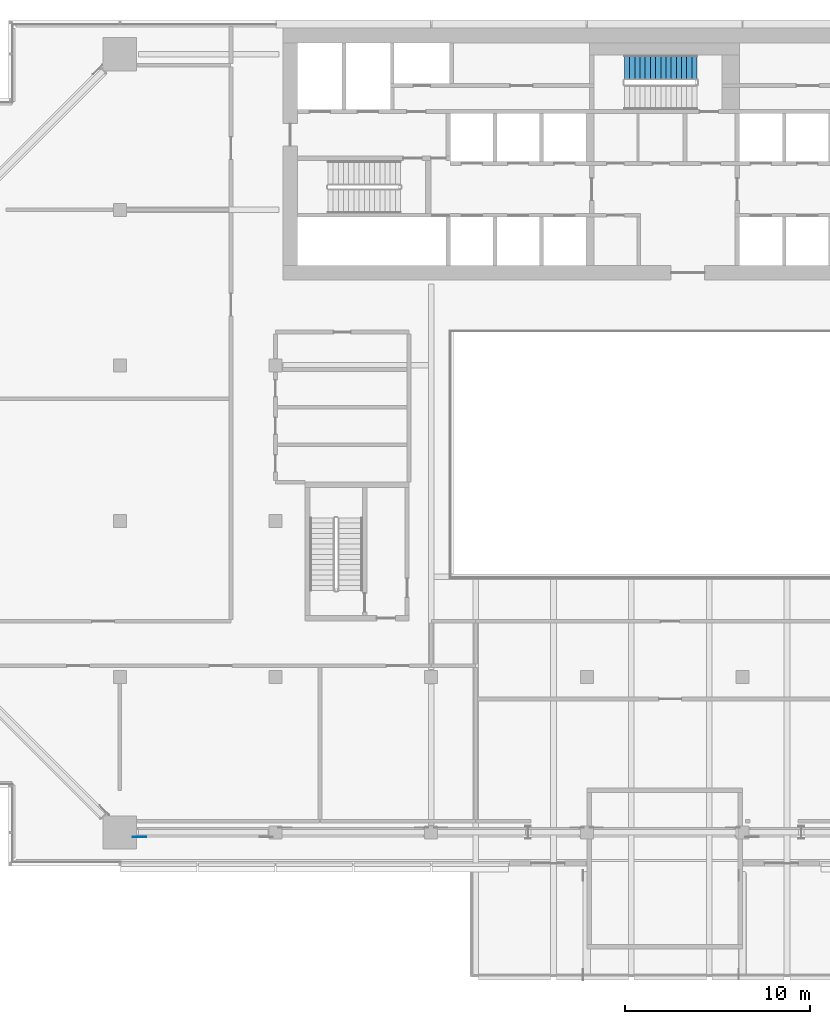
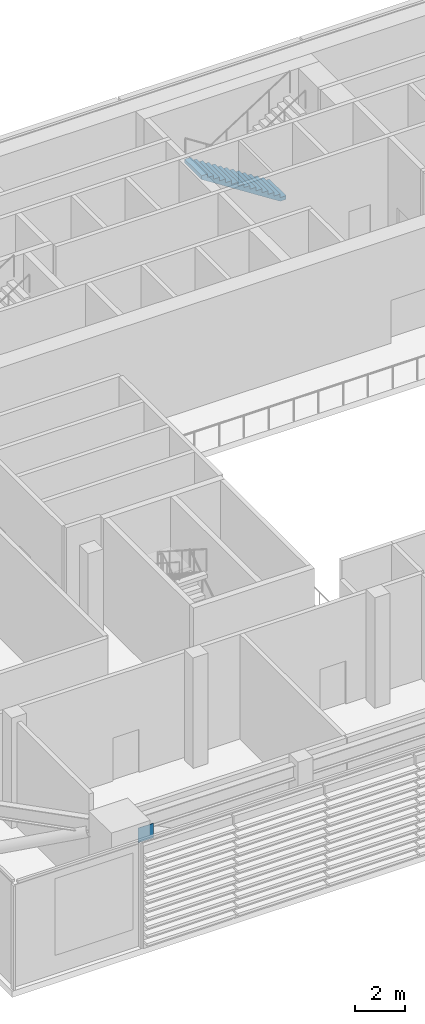
# One storey, part 18 of 29: 1 discrete accessory, 1 stair flight, 1 element without a shape of its own.
"""IFC4 building model written with IfcOpenShell, lengths in metres."""

from ifc_helpers import new_model, si_unit, direction, frame, origin, origin_2d, place, context, subcontext, project, spatial, polyline, rectangle, outline, extrude, material, type_object, element, aggregate, save


model = new_model("IFC4")

# Units and contexts
model_context = context("Model", 3, precision=1e-05, world=origin(), true_north=direction((0.0, 1.0)))
body_context = subcontext(model_context, "Body", "Model", "MODEL_VIEW")
ifc_project = project(units=[si_unit("LENGTHUNIT", "METRE"), si_unit("AREAUNIT", "SQUARE_METRE"), si_unit("VOLUMEUNIT", "CUBIC_METRE"), si_unit("PLANEANGLEUNIT", "RADIAN"), si_unit("MASSUNIT", "GRAM", prefix="KILO")], contexts=[model_context])

# Site, building, storey
site_placement = place(None, origin())
site = spatial("IfcSite", under=ifc_project, at=site_placement, CompositionType="ELEMENT")
building_placement = place(site_placement, origin())
building = spatial("IfcBuilding", under=site, at=building_placement, Name="Saffron Gate Tower", CompositionType="ELEMENT")
storey_placement = place(building_placement, frame((0.0, 0.0, 142.050048828125)))
storey = spatial("IfcBuildingStorey", under=building, at=storey_placement, Name="L34", CompositionType="ELEMENT", Elevation=142.050048828125)

# Stair, stair flight
ifc_material = material(Name="Concrete C40", Category="concrete")
stair_type = type_object("IfcStairType", Name="ST4 Stair 1350 wide, 30 risers of 180", PredefinedType="HALF_TURN_STAIR", material=ifc_material)
stair_placement = place(storey_placement, origin())
stair = element("IfcStair", 1, at=stair_placement, inside=storey, type_object=stair_type, Name="L34 Exit stair C", PredefinedType="HALF_TURN_STAIR")
stair_flight_type = type_object("IfcStairFlightType", Name="SF3 Stair flight 1350 wide, riser 180 going 280", PredefinedType="STRAIGHT", material=ifc_material)
stair_flight_placement = place(storey_placement, frame((89.35009765625, 73.074951171875, 0.0), z_axis=(0.0, 0.0, 1.0), x_axis=(-1.0, 0.0, 0.0)))
stair_flight = element("IfcStairFlight", 2, at=stair_flight_placement, type_object=stair_flight_type, Name="ST-C flight 1", NumberOfRisers=15, NumberOfTreads=14, PredefinedType="STRAIGHT", RiserHeight=0.18, TreadLength=0.28, context=body_context, shape_type="SweptSolid", body=[
    extrude(outline(polyline([(0.0, 0.0), (0.0, 0.179931640625), (0.280029296875, 0.179931640625), (0.280029296875, 0.360107421875), (0.56005859375, 0.360107421875), (0.56005859375, 0.5400390625), (0.840087890625, 0.5400390625), (0.840087890625, 0.719970703125), (1.1201171875, 0.719970703125), (1.1201171875, 0.89990234375), (1.39990234375, 0.89990234375), (1.39990234375, 1.080078125), (1.679931640625, 1.080078125), (1.679931640625, 1.260009765625), (1.9599609375, 1.260009765625), (1.9599609375, 1.43994140625), (2.239990234375, 1.43994140625), (2.239990234375, 1.6201171875), (2.52001953125, 1.6201171875), (2.52001953125, 1.800048828125), (2.800048828125, 1.800048828125), (2.800048828125, 1.97998046875), (3.080078125, 1.97998046875), (3.080078125, 2.159912109375), (3.360107421875, 2.159912109375), (3.360107421875, 2.340087890625), (3.639892578125, 2.340087890625), (3.639892578125, 2.52001953125), (3.919921875, 2.52001953125), (3.919921875, 2.699951171875), (3.919921875, 2.341796875), (0.277099609375, 0.0), (0.0, 0.0)])), frame((0.0, 0.675048828125, 0.0), z_axis=(0.0, -1.0, 0.0), x_axis=(1.0, 0.0, 0.0)), (0.0, 0.0, 1.0), 1.35009765625),
])
aggregate(stair, [stair_flight])

# Discrete accessory
discrete_accessory_placement = place(storey_placement, frame((59.2578125, 31.5458984375, 3.982421875), z_axis=(0.0, 0.0, 1.0), x_axis=(-1.0, 0.0, 0.0)))
element("IfcDiscreteAccessory", 3, at=discrete_accessory_placement, inside=storey, Name="GUSSET PLATE", ObjectType="GUSSET PLATE", PredefinedType="USERDEFINED", context=body_context, shape_type="SweptSolid", body=[
    extrude(rectangle(XDim=0.7109375, YDim=0.02001953125, at=origin_2d()), origin(), (0.0, 0.0, 1.0), 0.7109375),
])

save(model, "model.ifc")
